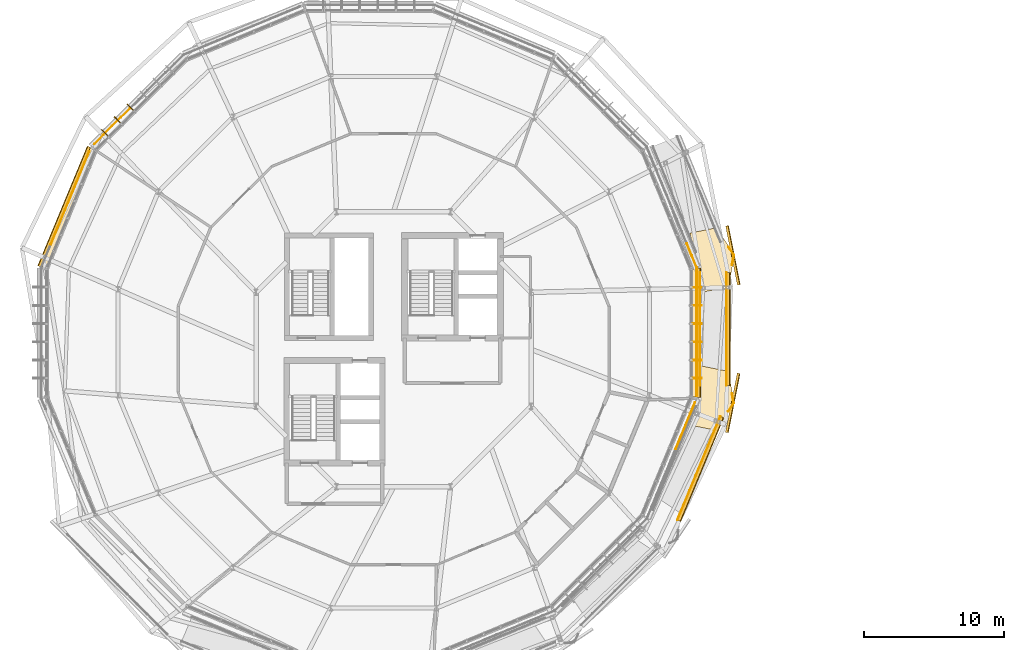
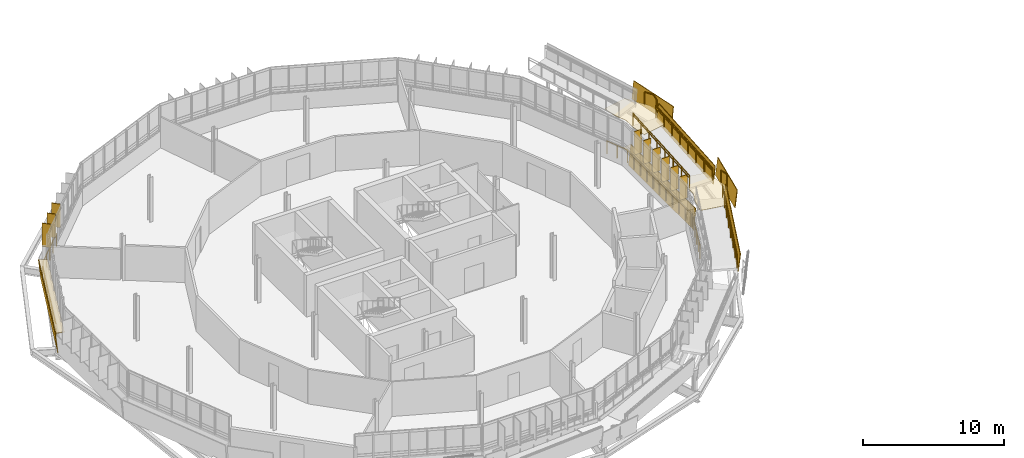
# One storey, part 35 of 38: 24 railings, 10 coverings, 9 shading devices.
"""IFC4 building model written with IfcOpenShell, lengths in metres."""

from ifc_helpers import new_model, si_unit, derived_unit, direction, frame, origin, origin_2d, place, context, subcontext, project, spatial, polyline, rectangle, circle, outline, extrude, material, layer, layer_set, type_object, element, save


model = new_model("IFC4")

# Units and contexts
model_context = context("Model", 3, precision=1e-05, world=origin(), true_north=direction((0.0, 1.0)))
body_context = subcontext(model_context, "Body", "Model", "MODEL_VIEW")
ifc_project = project(units=[si_unit("LENGTHUNIT", "METRE"), si_unit("AREAUNIT", "SQUARE_METRE"), si_unit("VOLUMEUNIT", "CUBIC_METRE"), si_unit("PLANEANGLEUNIT", "RADIAN"), si_unit("MASSUNIT", "GRAM", prefix="KILO"), derived_unit("THERMALTRANSMITTANCEUNIT", [(si_unit("MASSUNIT", "GRAM", prefix="KILO"), 1), (si_unit("TIMEUNIT", "SECOND"), -3), (si_unit("THERMODYNAMICTEMPERATUREUNIT", "KELVIN"), -1)])], contexts=[model_context])

# Site, building, storey
site_placement = place(None, origin())
site = spatial("IfcSite", under=ifc_project, at=site_placement, CompositionType="ELEMENT")
building_placement = place(site_placement, origin())
building = spatial("IfcBuilding", under=site, at=building_placement, Name="Makaiwela Harbour Ferry Terminal", CompositionType="ELEMENT")
storey_placement = place(building_placement, frame((0.0, 0.0, 17.699951171875)))
storey = spatial("IfcBuildingStorey", under=building, at=storey_placement, Name="L04", CompositionType="ELEMENT", Elevation=17.699951171875)

# Coverings
ifc_material_1 = material(Name="White glazed marine ceramic rainscreen tile", Category="masonry")
ifc_layer_1 = layer(ifc_material_1, 0.054931640625)
ifc_layer_set_1 = layer_set([ifc_layer_1], Name="White glazed marine ceramic rainscreen tile")
covering_type_1 = type_object("IfcCoveringType", Name="ENV-CLD-CERAMIC", PredefinedType="CLADDING", material=ifc_layer_set_1)
covering_1_placement = place(storey_placement, frame((16.205810546875, 81.982666015625, -0.219970703125), z_axis=(0.91837225581, -0.380377567243, 0.109111438894), x_axis=(-0.382662108655, -0.923888364792, -1.325847e-06)))
element("IfcCovering", 1, at=covering_1_placement, inside=storey, type_object=covering_type_1, Name="Ceramic Spandrel Facet CLD-0107", PredefinedType="CLADDING", context=body_context, shape_type="SweptSolid", body=[
    extrude(outline(polyline([(0.0, 0.0), (9.22583217068672, -5.551115123125783e-17), (9.225707352768074, -1.750453507512177), (-0.00021824128501520158, -1.7504288963566148), (0.0, 0.0)])), origin(), (0.0, 0.0, -1.0), 0.054931640625),
])
covering_2_placement = place(storey_placement, frame((0.0, 0.0, 1.47998046875)))
element("IfcCovering", 2, at=covering_2_placement, inside=storey, type_object=covering_type_1, Name="Ceramic Ring Sill Cap CLD-0108", PredefinedType="CLADDING", context=body_context, shape_type="SweptSolid", body=[
    extrude(outline(polyline([(16.029541015625, 82.055908203125), (12.4990234375, 73.5322265625), (13.111083984375, 73.36279296875), (16.58203125, 81.74267578125), (16.029541015625, 82.055908203125)])), origin(), (0.0, 0.0, 1.0), 0.05517578125),
])
covering_3_placement = place(storey_placement, frame((59.439697265625, 64.156982421875, -0.219970703125), z_axis=(-0.99403418163, 0.0, 0.109068995375), x_axis=(0.0, 1.0, 0.0)))
element("IfcCovering", 3, at=covering_3_placement, inside=storey, type_object=covering_type_1, Name="Ceramic Spandrel Facet CLD-0125", PredefinedType="CLADDING", context=body_context, shape_type="SweptSolid", body=[
    extrude(outline(polyline([(0.0, 0.0), (9.225830078125, 0.0), (9.225830078125, -1.7504329997209243), (0.0, -1.7504329997209243), (0.0, 0.0)])), origin(), (0.0, 0.0, -1.0), 0.054931640625),
])
covering_4_placement = place(storey_placement, frame((0.0, 0.0, 1.47998046875)))
element("IfcCovering", 4, at=covering_4_placement, inside=storey, type_object=covering_type_1, Name="Ceramic Ring Sill Cap CLD-0126", PredefinedType="CLADDING", context=body_context, shape_type="SweptSolid", body=[
    extrude(outline(polyline([(59.630615234375, 64.156982421875), (59.630615234375, 73.3828125), (59.00048828125, 73.30517578125), (59.00048828125, 64.23486328125), (59.630615234375, 64.156982421875)])), origin(), (0.0, 0.0, 1.0), 0.05517578125),
])
covering_5_placement = place(storey_placement, frame((58.0625, 55.413818359375, 1.888671875), z_axis=(-0.921177836667, 0.373257774502, 0.110045567867), x_axis=(0.381752918278, 0.921645849144, 0.069524370844)))
element("IfcCovering", 5, at=covering_5_placement, inside=storey, type_object=covering_type_1, Name="Coiled Ramp Ceramic Fascia CLD-R0069", PredefinedType="CLADDING", context=body_context, shape_type="SweptSolid", body=[
    extrude(outline(polyline([(0.0, 0.0), (8.01336114813343, 0.0), (8.119005883885844, -1.525660016367131), (0.10586974694605258, -1.5256341241488187), (0.0, 0.0)])), origin(), (0.0, 0.0, -1.0), 0.054931640625),
])
covering_6_placement = place(storey_placement, frame((61.4365234375, 61.69287109375, 2.44580078125), z_axis=(-0.974847879403, 0.193902996534, 0.109878296118), x_axis=(0.195084156401, 0.9807865068, -6.04816e-07)))
element("IfcCovering", 6, at=covering_6_placement, inside=storey, type_object=covering_type_1, Name="Coiled Ramp Ceramic Fascia CLD-R0070", PredefinedType="CLADDING", context=body_context, shape_type="SweptSolid", body=[
    extrude(outline(polyline([(0.0, 0.0), (4.300145524014604, -1.3877787807814457e-17), (4.29996775584264, -1.5292818589607693), (6.168165879731592e-05, -1.5292766258247583), (0.0, 0.0)])), origin(), (0.0, 0.0, -1.0), 0.054931640625),
])
covering_7_placement = place(storey_placement, frame((61.5625, 65.007080078125, 2.44580078125), z_axis=(-0.993921053264, -0.006349392549, 0.10991189696), x_axis=(0.00125403537, 0.997617910713, 0.06897051269)))
element("IfcCovering", 7, at=covering_7_placement, inside=storey, type_object=covering_type_1, Name="Coiled Ramp Ceramic Fascia CLD-R0071", PredefinedType="CLADDING", context=body_context, shape_type="SweptSolid", body=[
    extrude(outline(polyline([(0.0, 0.0), (8.077591919994989, 2.220446049250313e-16), (8.182395832218088, -1.5257034892167598), (0.10504716512235387, -1.5256598424697165), (0.0, 0.0)])), origin(), (0.0, 0.0, -1.0), 0.054931640625),
])
covering_8_placement = place(storey_placement, frame((62.2880859375, 72.1650390625, 3.0029296875), z_axis=(-0.974847879403, -0.193902996534, 0.109878296118), x_axis=(-0.195084287557, 0.980786480712, -6.0485e-07)))
element("IfcCovering", 8, at=covering_8_placement, inside=storey, type_object=covering_type_1, Name="Coiled Ramp Ceramic Fascia CLD-R0072", PredefinedType="CLADDING", context=body_context, shape_type="SweptSolid", body=[
    extrude(outline(polyline([(0.0, 0.0), (4.299906074187026, -1.3877787807814457e-17), (4.300081981169507, -1.5292818591759867), (-6.354284191229377e-05, -1.5292766257485568), (0.0, 0.0)])), origin(), (0.0, 0.0, -1.0), 0.054931640625),
])

# Shading devices
ifc_material_2 = material(Name="Marine anodised aluminium 6063-T6", Category="aluminium")
ifc_layer_2 = layer(ifc_material_2, 0.054931640625)
ifc_layer_set_2 = layer_set([ifc_layer_2], Name="Marine anodised aluminium 6063-T6")
shading_device_type = type_object("IfcShadingDeviceType", Name="ENV-FIN-650", PredefinedType="USERDEFINED", material=ifc_layer_set_2)
for number, where, z_axis, x_axis, name in (
    (9, (19.0537109375, 84.849853515625, 1.60400390625), (0.0, 0.0, 1.0), (-0.707106781187, 0.707106781187, 0.0), "Vertical Solar Fin SFN-0123"),
    (10, (18.1376953125, 83.93359375, 1.60400390625), (0.0, 0.0, 1.0), (-0.707106781187, 0.707106781187, 0.0), "Vertical Solar Fin SFN-0124"),
    (11, (17.22119140625, 83.017333984375, 1.60400390625), (0.0, 0.0, 1.0), (-0.707106781187, 0.707106781187, 0.0), "Vertical Solar Fin SFN-0125"),
    (12, (59.4384765625, 65.530517578125, 1.60400390625), (0.0, 0.0, 1.0), (1.0, 0.0, 0.0), "Vertical Solar Fin SFN-0144"),
    (13, (59.4384765625, 66.826416015625, 1.60400390625), (0.0, 0.0, 1.0), (1.0, 0.0, 0.0), "Vertical Solar Fin SFN-0145"),
    (14, (59.4384765625, 68.1220703125, 1.60400390625), (0.0, 0.0, 1.0), (1.0, 0.0, 0.0), "Vertical Solar Fin SFN-0146"),
    (15, (59.4384765625, 69.41796875, 1.60400390625), (0.0, 0.0, 1.0), (1.0, 0.0, 0.0), "Vertical Solar Fin SFN-0147"),
    (16, (59.4384765625, 70.713623046875, 1.60400390625), (0.0, 0.0, 1.0), (1.0, 0.0, 0.0), "Vertical Solar Fin SFN-0148"),
    (17, (59.4384765625, 72.009521484375, 1.60400390625), (0.0, 0.0, 1.0), (1.0, 0.0, 0.0), "Vertical Solar Fin SFN-0149"),
):
    element("IfcShadingDevice", number, at=place(storey_placement, frame(where, z_axis=z_axis, x_axis=x_axis)), inside=storey, type_object=shading_device_type, Name=name, ObjectType="SOLAR FIN", PredefinedType="USERDEFINED", context=body_context, shape_type="SweptSolid", body=[
        extrude(rectangle(XDim=0.64990234375, YDim=0.054931640625, at=origin_2d()), origin(), (0.0, 0.0, 1.0), 2.0400390625),
    ])

# Coverings
ifc_material_3 = material(Name="Honed coral-aggregate epoxy terrazzo flooring", Category="concrete")
ifc_layer_3 = layer(ifc_material_3, 0.02490234375)
ifc_layer_set_3 = layer_set([ifc_layer_3], Name="Honed coral-aggregate epoxy terrazzo flooring")
covering_type_2 = type_object("IfcCoveringType", Name="INT-COV-FLR", PredefinedType="FLOORING", material=ifc_layer_set_3)
covering_9_placement = place(storey_placement, frame((0.0, 0.0, 2.78564453125)))
element("IfcCovering", 18, at=covering_9_placement, inside=storey, type_object=covering_type_2, Name="Ramp Landing Terrazzo RMP-COIL-L04-L5", PredefinedType="FLOORING", context=body_context, shape_type="SweptSolid", body=[
    extrude(outline(polyline([(59.5068359375, 65.253173828125), (59.5068359375, 64.269287109375), (59.5068359375, 64.26904296875), (59.5068359375, 64.268798828125), (59.5068359375, 64.2685546875), (59.506591796875, 64.268310546875), (59.130126953125, 63.359375), (58.899169921875, 62.197509765625), (60.802001953125, 61.819091796875), (62.07470703125, 63.758056640625), (61.640625, 66.03662109375), (59.738037109375, 66.4150390625), (59.5068359375, 65.253173828125)])), origin(), (0.0, 0.0, 1.0), 0.025146484375),
])
covering_10_placement = place(storey_placement, frame((0.0, 0.0, 3.343017578125)))
element("IfcCovering", 19, at=covering_10_placement, inside=storey, type_object=covering_type_2, Name="Ramp Landing Terrazzo RMP-COIL-L04-L6", PredefinedType="FLOORING", context=body_context, shape_type="SweptSolid", body=[
    extrude(outline(polyline([(59.142822265625, 74.7158203125), (59.519287109375, 73.806884765625), (59.51953125, 73.806640625), (59.51953125, 73.806396484375), (59.51953125, 73.806396484375), (59.51953125, 73.80615234375), (59.51953125, 72.822021484375), (59.750732421875, 71.660400390625), (61.6533203125, 72.038818359375), (62.087158203125, 74.317138671875), (60.814453125, 76.256103515625), (58.911865234375, 75.877685546875), (59.142822265625, 74.7158203125)])), origin(), (0.0, 0.0, 1.0), 0.02490234375),
])

# Railings
ifc_material_4 = material(Name="Marine grade 316L brushed stainless steel", Category="steel")
railing_type_1 = type_object("IfcRailingType", Name="INT-RL-GRD110", PredefinedType="GUARDRAIL", material=ifc_material_4)
railing_1_placement = place(storey_placement, frame((58.010009765625, 55.435791015625, 2.228759765625)))
element("IfcRailing", 20, at=railing_1_placement, inside=storey, type_object=railing_type_1, Name="Ramp guardrail RL-0235", PredefinedType="GUARDRAIL", context=body_context, shape_type="SweptSolid", body=[
    extrude(circle(Radius=0.02392578125, at=origin_2d()), frame((0.0, 0.0, 1.09619140625), z_axis=(0.381759208581, 0.921645335959, 0.069496628473), x_axis=(-0.923879103416, 0.382684468291, 0.0)), (0.0, 0.0, 1.0), 8.01318359375),
    extrude(circle(Radius=0.02099609375, at=origin_2d()), origin(), (0.0, 0.0, 1.0), 1.072021484375),
    extrude(circle(Radius=0.02099609375, at=origin_2d()), frame((0.43701171875, 1.054931640625, 0.07958984375)), (0.0, 0.0, 1.0), 1.072021484375),
    extrude(circle(Radius=0.02099609375, at=origin_2d()), frame((0.8740234375, 2.110107421875, 0.1591796875)), (0.0, 0.0, 1.0), 1.072021484375),
    extrude(circle(Radius=0.02099609375, at=origin_2d()), frame((1.31103515625, 3.1650390625, 0.23876953125)), (0.0, 0.0, 1.0), 1.072021484375),
    extrude(circle(Radius=0.02099609375, at=origin_2d()), frame((1.748046875, 4.22021484375, 0.318115234375)), (0.0, 0.0, 1.0), 1.072021484375),
    extrude(circle(Radius=0.02099609375, at=origin_2d()), frame((2.18505859375, 5.275146484375, 0.397705078125)), (0.0, 0.0, 1.0), 1.072021484375),
    extrude(circle(Radius=0.02099609375, at=origin_2d()), frame((2.6220703125, 6.330322265625, 0.477294921875)), (0.0, 0.0, 1.0), 1.072021484375),
    extrude(circle(Radius=0.02099609375, at=origin_2d()), frame((3.05908203125, 7.38525390625, 0.556884765625)), (0.0, 0.0, 1.0), 1.072021484375),
])
railing_2_placement = place(storey_placement, frame((59.62548828125, 65.009765625, 2.78564453125)))
element("IfcRailing", 21, at=railing_2_placement, inside=storey, type_object=railing_type_1, Name="Ramp guardrail RL-0237", PredefinedType="GUARDRAIL", context=body_context, shape_type="SweptSolid", body=[
    extrude(circle(Radius=0.02392578125, at=origin_2d()), frame((0.0, 0.0, 1.09619140625), z_axis=(0.001239199114, 0.997615735713, 0.069002233606), x_axis=(-0.999999228519, 0.001242159795, 0.0)), (0.0, 0.0, 1.0), 8.07763671875),
    extrude(circle(Radius=0.02099609375, at=origin_2d()), origin(), (0.0, 0.0, 1.0), 1.072021484375),
    extrude(circle(Radius=0.02099609375, at=origin_2d()), frame((0.00146484375, 1.151123046875, 0.07958984375)), (0.0, 0.0, 1.0), 1.072021484375),
    extrude(circle(Radius=0.02099609375, at=origin_2d()), frame((0.0029296875, 2.302490234375, 0.1591796875)), (0.0, 0.0, 1.0), 1.072021484375),
    extrude(circle(Radius=0.02099609375, at=origin_2d()), frame((0.00439453125, 3.45361328125, 0.23876953125)), (0.0, 0.0, 1.0), 1.072021484375),
    extrude(circle(Radius=0.02099609375, at=origin_2d()), frame((0.005615234375, 4.604736328125, 0.318603515625)), (0.0, 0.0, 1.0), 1.072021484375),
    extrude(circle(Radius=0.02099609375, at=origin_2d()), frame((0.007080078125, 5.755859375, 0.398193359375)), (0.0, 0.0, 1.0), 1.072021484375),
    extrude(circle(Radius=0.02099609375, at=origin_2d()), frame((0.008544921875, 6.9072265625, 0.477783203125)), (0.0, 0.0, 1.0), 1.072021484375),
    extrude(circle(Radius=0.02099609375, at=origin_2d()), frame((0.010009765625, 8.058349609375, 0.557373046875)), (0.0, 0.0, 1.0), 1.072021484375),
])
railing_3_placement = place(storey_placement, frame((61.50537109375, 65.00732421875, 2.78564453125)))
element("IfcRailing", 22, at=railing_3_placement, inside=storey, type_object=railing_type_1, Name="Ramp guardrail RL-0239", PredefinedType="GUARDRAIL", context=body_context, shape_type="SweptSolid", body=[
    extrude(circle(Radius=0.02392578125, at=origin_2d()), frame((0.0, 0.0, 1.09619140625), z_axis=(0.001269423435, 0.997615697893, 0.06900223099), x_axis=(-0.999999190427, 0.001272456327, 0.0)), (0.0, 0.0, 1.0), 8.07763671875),
    extrude(circle(Radius=0.02099609375, at=origin_2d()), origin(), (0.0, 0.0, 1.0), 1.072021484375),
    extrude(circle(Radius=0.02099609375, at=origin_2d()), frame((0.00146484375, 1.151123046875, 0.07958984375)), (0.0, 0.0, 1.0), 1.072021484375),
    extrude(circle(Radius=0.02099609375, at=origin_2d()), frame((0.0029296875, 2.302490234375, 0.1591796875)), (0.0, 0.0, 1.0), 1.072021484375),
    extrude(circle(Radius=0.02099609375, at=origin_2d()), frame((0.00439453125, 3.45361328125, 0.23876953125)), (0.0, 0.0, 1.0), 1.072021484375),
    extrude(circle(Radius=0.02099609375, at=origin_2d()), frame((0.005859375, 4.604736328125, 0.318603515625)), (0.0, 0.0, 1.0), 1.072021484375),
    extrude(circle(Radius=0.02099609375, at=origin_2d()), frame((0.00732421875, 5.755859375, 0.398193359375)), (0.0, 0.0, 1.0), 1.072021484375),
    extrude(circle(Radius=0.02099609375, at=origin_2d()), frame((0.0087890625, 6.9072265625, 0.477783203125)), (0.0, 0.0, 1.0), 1.072021484375),
    extrude(circle(Radius=0.02099609375, at=origin_2d()), frame((0.01025390625, 8.058349609375, 0.557373046875)), (0.0, 0.0, 1.0), 1.072021484375),
])
railing_4_placement = place(storey_placement, frame((13.388916015625, 75.0693359375, 0.0)))
element("IfcRailing", 23, at=railing_4_placement, inside=storey, type_object=railing_type_1, Name="Deck edge guardrail RL-0763", PredefinedType="GUARDRAIL", context=body_context, shape_type="SweptSolid", body=[
    extrude(circle(Radius=0.02392578125, at=origin_2d()), frame((0.0, 0.0, 1.09619140625), z_axis=(0.382708764376, 0.923869039242, 0.0), x_axis=(-0.923869039242, 0.382708764376, 0.0)), (0.0, 0.0, 1.0), 1.7919921875),
    extrude(circle(Radius=0.02099609375, at=origin_2d()), origin(), (0.0, 0.0, 1.0), 1.072021484375),
    extrude(circle(Radius=0.02099609375, at=origin_2d()), frame((0.3427734375, 0.82763671875, 0.0)), (0.0, 0.0, 1.0), 1.072021484375),
    extrude(circle(Radius=0.02099609375, at=origin_2d()), frame((0.685791015625, 1.655517578125, 0.0)), (0.0, 0.0, 1.0), 1.072021484375),
])
railing_5_placement = place(storey_placement, frame((14.07470703125, 76.724853515625, 0.0)))
element("IfcRailing", 24, at=railing_5_placement, inside=storey, type_object=railing_type_1, Name="Deck edge guardrail RL-0764", PredefinedType="GUARDRAIL", context=body_context, shape_type="SweptSolid", body=[
    extrude(circle(Radius=0.02392578125, at=origin_2d()), frame((0.0, 0.0, 1.09619140625), z_axis=(0.382640634603, 0.923897258763, 0.0), x_axis=(-0.923897258763, 0.382640634603, 0.0)), (0.0, 0.0, 1.0), 1.79150390625),
    extrude(circle(Radius=0.02099609375, at=origin_2d()), origin(), (0.0, 0.0, 1.0), 1.072021484375),
    extrude(circle(Radius=0.02099609375, at=origin_2d()), frame((0.3427734375, 0.82763671875, 0.0)), (0.0, 0.0, 1.0), 1.072021484375),
    extrude(circle(Radius=0.02099609375, at=origin_2d()), frame((0.685546875, 1.6552734375, 0.0)), (0.0, 0.0, 1.0), 1.072021484375),
])
railing_6_placement = place(storey_placement, frame((14.76025390625, 78.380126953125, 0.0)))
element("IfcRailing", 25, at=railing_6_placement, inside=storey, type_object=railing_type_1, Name="Deck edge guardrail RL-0765", PredefinedType="GUARDRAIL", context=body_context, shape_type="SweptSolid", body=[
    extrude(circle(Radius=0.02392578125, at=origin_2d()), frame((0.0, 0.0, 1.09619140625), z_axis=(0.382708764376, 0.923869039242, 0.0), x_axis=(-0.923869039242, 0.382708764376, 0.0)), (0.0, 0.0, 1.0), 1.7919921875),
    extrude(circle(Radius=0.02099609375, at=origin_2d()), origin(), (0.0, 0.0, 1.0), 1.072021484375),
    extrude(circle(Radius=0.02099609375, at=origin_2d()), frame((0.3427734375, 0.82763671875, 0.0)), (0.0, 0.0, 1.0), 1.072021484375),
    extrude(circle(Radius=0.02099609375, at=origin_2d()), frame((0.685791015625, 1.655517578125, 0.0)), (0.0, 0.0, 1.0), 1.072021484375),
])
railing_7_placement = place(storey_placement, frame((15.446044921875, 80.03564453125, 0.0)))
element("IfcRailing", 26, at=railing_7_placement, inside=storey, type_object=railing_type_1, Name="Deck edge guardrail RL-0766", PredefinedType="GUARDRAIL", context=body_context, shape_type="SweptSolid", body=[
    extrude(circle(Radius=0.02392578125, at=origin_2d()), frame((0.0, 0.0, 1.09619140625), z_axis=(0.382592466586, 0.923917206524, 0.0), x_axis=(-0.923917206524, 0.382592466586, 0.0)), (0.0, 0.0, 1.0), 1.791748046875),
    extrude(circle(Radius=0.02099609375, at=origin_2d()), origin(), (0.0, 0.0, 1.0), 1.072021484375),
    extrude(circle(Radius=0.02099609375, at=origin_2d()), frame((0.3427734375, 0.82763671875, 0.0)), (0.0, 0.0, 1.0), 1.072021484375),
    extrude(circle(Radius=0.02099609375, at=origin_2d()), frame((0.685546875, 1.655517578125, 0.0)), (0.0, 0.0, 1.0), 1.072021484375),
])
for number, where, name in (
    (27, (16.489990234375, 82.227294921875, 0.0), "Deck edge guardrail RL-0767"),
    (28, (17.757080078125, 83.494384765625, 0.0), "Deck edge guardrail RL-0768"),
):
    element("IfcRailing", number, at=place(storey_placement, frame(where)), inside=storey, type_object=railing_type_1, Name=name, PredefinedType="GUARDRAIL", context=body_context, shape_type="SweptSolid", body=[
        extrude(circle(Radius=0.02392578125, at=origin_2d()), frame((0.0, 0.0, 1.09619140625), z_axis=(0.707106781187, 0.707106781187, 0.0), x_axis=(-0.707106781187, 0.707106781187, 0.0)), (0.0, 0.0, 1.0), 1.7919921875),
        extrude(circle(Radius=0.02099609375, at=origin_2d()), origin(), (0.0, 0.0, 1.0), 1.072021484375),
        extrude(circle(Radius=0.02099609375, at=origin_2d()), frame((0.633544921875, 0.633544921875, 0.0)), (0.0, 0.0, 1.0), 1.072021484375),
        extrude(circle(Radius=0.02099609375, at=origin_2d()), frame((1.26708984375, 1.26708984375, 0.0)), (0.0, 0.0, 1.0), 1.072021484375),
    ])
railing_8_placement = place(storey_placement, frame((58.685791015625, 75.130126953125, 0.0)))
element("IfcRailing", 29, at=railing_8_placement, inside=storey, type_object=railing_type_1, Name="Deck edge guardrail RL-0796", PredefinedType="GUARDRAIL", context=body_context, shape_type="SweptSolid", body=[
    extrude(circle(Radius=0.02392578125, at=origin_2d()), frame((0.0, 0.0, 1.09619140625), z_axis=(0.382692255499, -0.9238758778, 0.0), x_axis=(0.9238758778, 0.382692255499, 0.0)), (0.0, 0.0, 1.0), 1.857666015625),
    extrude(circle(Radius=0.02099609375, at=origin_2d()), origin(), (0.0, 0.0, 1.0), 1.072021484375),
    extrude(circle(Radius=0.02099609375, at=origin_2d()), frame((0.35546875, -0.858154296875, 0.0)), (0.0, 0.0, 1.0), 1.072021484375),
    extrude(circle(Radius=0.02099609375, at=origin_2d()), frame((0.7109375, -1.71630859375, 0.0)), (0.0, 0.0, 1.0), 1.072021484375),
])
for number, where, name in (
    (30, (59.396728515625, 73.413818359375, 0.0), "Deck edge guardrail RL-0797"),
    (31, (59.396728515625, 71.5888671875, 0.0), "Deck edge guardrail RL-0798"),
):
    element("IfcRailing", number, at=place(storey_placement, frame(where)), inside=storey, type_object=railing_type_1, Name=name, PredefinedType="GUARDRAIL", context=body_context, shape_type="SweptSolid", body=[
        extrude(circle(Radius=0.02392578125, at=origin_2d()), frame((0.0, 0.0, 1.09619140625), z_axis=(0.0, -1.0, 0.0), x_axis=(1.0, 0.0, 0.0)), (0.0, 0.0, 1.0), 1.824951171875),
        extrude(circle(Radius=0.02099609375, at=origin_2d()), origin(), (0.0, 0.0, 1.0), 1.072021484375),
        extrude(circle(Radius=0.02099609375, at=origin_2d()), frame((0.0, -0.91259765625, 0.0)), (0.0, 0.0, 1.0), 1.072021484375),
        extrude(circle(Radius=0.02099609375, at=origin_2d()), frame((0.0, -1.824951171875, 0.0)), (0.0, 0.0, 1.0), 1.072021484375),
    ])
for number, where, name in (
    (32, (59.396728515625, 69.763916015625, 0.0), "Deck edge guardrail RL-0799"),
    (33, (59.396728515625, 67.938720703125, 0.0), "Deck edge guardrail RL-0800"),
):
    element("IfcRailing", number, at=place(storey_placement, frame(where)), inside=storey, type_object=railing_type_1, Name=name, PredefinedType="GUARDRAIL", context=body_context, shape_type="SweptSolid", body=[
        extrude(circle(Radius=0.02392578125, at=origin_2d()), frame((0.0, 0.0, 1.09619140625), z_axis=(0.0, -1.0, 0.0), x_axis=(1.0, 0.0, 0.0)), (0.0, 0.0, 1.0), 1.8251953125),
        extrude(circle(Radius=0.02099609375, at=origin_2d()), origin(), (0.0, 0.0, 1.0), 1.072021484375),
        extrude(circle(Radius=0.02099609375, at=origin_2d()), frame((0.0, -0.91259765625, 0.0)), (0.0, 0.0, 1.0), 1.072021484375),
        extrude(circle(Radius=0.02099609375, at=origin_2d()), frame((0.0, -1.8251953125, 0.0)), (0.0, 0.0, 1.0), 1.072021484375),
    ])
railing_9_placement = place(storey_placement, frame((59.396728515625, 66.113525390625, 0.0)))
element("IfcRailing", 34, at=railing_9_placement, inside=storey, type_object=railing_type_1, Name="Deck edge guardrail RL-0801", PredefinedType="GUARDRAIL", context=body_context, shape_type="SweptSolid", body=[
    extrude(circle(Radius=0.02392578125, at=origin_2d()), frame((0.0, 0.0, 1.09619140625), z_axis=(0.0, -1.0, 0.0), x_axis=(1.0, 0.0, 0.0)), (0.0, 0.0, 1.0), 1.824951171875),
    extrude(circle(Radius=0.02099609375, at=origin_2d()), origin(), (0.0, 0.0, 1.0), 1.072021484375),
    extrude(circle(Radius=0.02099609375, at=origin_2d()), frame((0.0, -0.91259765625, 0.0)), (0.0, 0.0, 1.0), 1.072021484375),
    extrude(circle(Radius=0.02099609375, at=origin_2d()), frame((0.0, -1.824951171875, 0.0)), (0.0, 0.0, 1.0), 1.072021484375),
])
railing_10_placement = place(storey_placement, frame((59.265625, 63.809814453125, 0.0)))
element("IfcRailing", 35, at=railing_10_placement, inside=storey, type_object=railing_type_1, Name="Deck edge guardrail RL-0802", PredefinedType="GUARDRAIL", context=body_context, shape_type="SweptSolid", body=[
    extrude(circle(Radius=0.02392578125, at=origin_2d()), frame((0.0, 0.0, 1.09619140625), z_axis=(-0.382657128341, -0.923890427556, 0.0), x_axis=(0.923890427556, -0.382657128341, 0.0)), (0.0, 0.0, 1.0), 1.7890625),
    extrude(circle(Radius=0.02099609375, at=origin_2d()), origin(), (0.0, 0.0, 1.0), 1.072021484375),
    extrude(circle(Radius=0.02099609375, at=origin_2d()), frame((-0.34228515625, -0.826416015625, 0.0)), (0.0, 0.0, 1.0), 1.072021484375),
    extrude(circle(Radius=0.02099609375, at=origin_2d()), frame((-0.6845703125, -1.65283203125, 0.0)), (0.0, 0.0, 1.0), 1.072021484375),
])
railing_11_placement = place(storey_placement, frame((58.5810546875, 62.156982421875, 0.0)))
element("IfcRailing", 36, at=railing_11_placement, inside=storey, type_object=railing_type_1, Name="Deck edge guardrail RL-0803", PredefinedType="GUARDRAIL", context=body_context, shape_type="SweptSolid", body=[
    extrude(circle(Radius=0.02392578125, at=origin_2d()), frame((0.0, 0.0, 1.09619140625), z_axis=(-0.382608887817, -0.923910406351, 0.0), x_axis=(0.923910406351, -0.382608887817, 0.0)), (0.0, 0.0, 1.0), 1.789306640625),
    extrude(circle(Radius=0.02099609375, at=origin_2d()), origin(), (0.0, 0.0, 1.0), 1.072021484375),
    extrude(circle(Radius=0.02099609375, at=origin_2d()), frame((-0.34228515625, -0.82666015625, 0.0)), (0.0, 0.0, 1.0), 1.072021484375),
    extrude(circle(Radius=0.02099609375, at=origin_2d()), frame((-0.6845703125, -1.653076171875, 0.0)), (0.0, 0.0, 1.0), 1.072021484375),
])
railing_12_placement = place(storey_placement, frame((61.895751953125, 64.457275390625, 2.78564453125)))
element("IfcRailing", 37, at=railing_12_placement, inside=storey, type_object=railing_type_1, Name="Deck edge guardrail RL-0837", PredefinedType="GUARDRAIL", context=body_context, shape_type="SweptSolid", body=[
    extrude(circle(Radius=0.02392578125, at=origin_2d()), frame((0.0, 0.0, 1.09619140625), z_axis=(0.18708014987, -0.982344653126, 0.0), x_axis=(0.982344653126, 0.18708014987, 0.0)), (0.0, 0.0, 1.0), 0.7021484375),
    extrude(circle(Radius=0.02099609375, at=origin_2d()), origin(), (0.0, 0.0, 1.0), 1.072021484375),
    extrude(circle(Radius=0.02099609375, at=origin_2d()), frame((0.13134765625, -0.689697265625, 0.0)), (0.0, 0.0, 1.0), 1.072021484375),
])
railing_13_placement = place(storey_placement, frame((62.027099609375, 63.767578125, 2.78564453125)))
element("IfcRailing", 38, at=railing_13_placement, inside=storey, type_object=railing_type_1, Name="Deck edge guardrail RL-0838", PredefinedType="GUARDRAIL", context=body_context, shape_type="SweptSolid", body=[
    extrude(circle(Radius=0.02392578125, at=origin_2d()), frame((0.0, 0.0, 1.09619140625), z_axis=(-0.548928918166, -0.835869034479, 0.0), x_axis=(0.835869034479, -0.548928918166, 0.0)), (0.0, 0.0, 1.0), 0.70458984375),
    extrude(circle(Radius=0.02099609375, at=origin_2d()), origin(), (0.0, 0.0, 1.0), 1.072021484375),
    extrude(circle(Radius=0.02099609375, at=origin_2d()), frame((-0.38671875, -0.5888671875, 0.0)), (0.0, 0.0, 1.0), 1.072021484375),
])
railing_14_placement = place(storey_placement, frame((61.65625, 74.891845703125, 3.343017578125)))
element("IfcRailing", 39, at=railing_14_placement, inside=storey, type_object=railing_type_1, Name="Deck edge guardrail RL-0839", PredefinedType="GUARDRAIL", context=body_context, shape_type="SweptSolid", body=[
    extrude(circle(Radius=0.02392578125, at=origin_2d()), frame((0.0, 0.0, 1.09619140625), z_axis=(0.548557222474, -0.836113014892, 0.0), x_axis=(0.836113014892, 0.548557222474, 0.0)), (0.0, 0.0, 1.0), 0.69873046875),
    extrude(circle(Radius=0.02099609375, at=origin_2d()), origin(), (0.0, 0.0, 1.0), 1.072021484375),
    extrude(circle(Radius=0.02099609375, at=origin_2d()), frame((0.38330078125, -0.584228515625, 0.0)), (0.0, 0.0, 1.0), 1.072021484375),
])
railing_15_placement = place(storey_placement, frame((62.03955078125, 74.3076171875, 3.343017578125)))
element("IfcRailing", 40, at=railing_15_placement, inside=storey, type_object=railing_type_1, Name="Deck edge guardrail RL-0840", PredefinedType="GUARDRAIL", context=body_context, shape_type="SweptSolid", body=[
    extrude(circle(Radius=0.02392578125, at=origin_2d()), frame((0.0, 0.0, 1.09619140625), z_axis=(-0.187064440614, -0.982347644705, 0.0), x_axis=(0.982347644705, -0.187064440614, 0.0)), (0.0, 0.0, 1.0), 0.7060546875),
    extrude(circle(Radius=0.02099609375, at=origin_2d()), origin(), (0.0, 0.0, 1.0), 1.072021484375),
    extrude(circle(Radius=0.02099609375, at=origin_2d()), frame((-0.132080078125, -0.693603515625, 0.0)), (0.0, 0.0, 1.0), 1.072021484375),
])
railing_type_2 = type_object("IfcRailingType", Name="INT-RL-HND090", PredefinedType="HANDRAIL", material=ifc_material_4)
railing_16_placement = place(storey_placement, frame((58.010009765625, 55.435791015625, 2.228759765625)))
element("IfcRailing", 41, at=railing_16_placement, inside=storey, type_object=railing_type_2, Name="Ramp handrail RL-0236", PredefinedType="HANDRAIL", context=body_context, shape_type="SweptSolid", body=[
    extrude(circle(Radius=0.02392578125, at=origin_2d()), frame((0.0, 0.0, 0.89111328125), z_axis=(0.381759208581, 0.921645335959, 0.069496628473), x_axis=(-0.923879103416, 0.382684468291, 0.0)), (0.0, 0.0, 1.0), 8.01318359375),
    extrude(circle(Radius=0.02099609375, at=origin_2d()), origin(), (0.0, 0.0, 1.0), 0.866943359375),
    extrude(circle(Radius=0.02099609375, at=origin_2d()), frame((0.43701171875, 1.054931640625, 0.07958984375)), (0.0, 0.0, 1.0), 0.866943359375),
    extrude(circle(Radius=0.02099609375, at=origin_2d()), frame((0.8740234375, 2.110107421875, 0.1591796875)), (0.0, 0.0, 1.0), 0.866943359375),
    extrude(circle(Radius=0.02099609375, at=origin_2d()), frame((1.31103515625, 3.1650390625, 0.23876953125)), (0.0, 0.0, 1.0), 0.866943359375),
    extrude(circle(Radius=0.02099609375, at=origin_2d()), frame((1.748046875, 4.22021484375, 0.318115234375)), (0.0, 0.0, 1.0), 0.866943359375),
    extrude(circle(Radius=0.02099609375, at=origin_2d()), frame((2.18505859375, 5.275146484375, 0.397705078125)), (0.0, 0.0, 1.0), 0.866943359375),
    extrude(circle(Radius=0.02099609375, at=origin_2d()), frame((2.6220703125, 6.330322265625, 0.477294921875)), (0.0, 0.0, 1.0), 0.866943359375),
    extrude(circle(Radius=0.02099609375, at=origin_2d()), frame((3.05908203125, 7.38525390625, 0.556884765625)), (0.0, 0.0, 1.0), 0.866943359375),
])
railing_17_placement = place(storey_placement, frame((59.62548828125, 65.009765625, 2.78564453125)))
element("IfcRailing", 42, at=railing_17_placement, inside=storey, type_object=railing_type_2, Name="Ramp handrail RL-0238", PredefinedType="HANDRAIL", context=body_context, shape_type="SweptSolid", body=[
    extrude(circle(Radius=0.02392578125, at=origin_2d()), frame((0.0, 0.0, 0.89111328125), z_axis=(0.001239199114, 0.997615735713, 0.069002233606), x_axis=(-0.999999228519, 0.001242159795, 0.0)), (0.0, 0.0, 1.0), 8.07763671875),
    extrude(circle(Radius=0.02099609375, at=origin_2d()), origin(), (0.0, 0.0, 1.0), 0.866943359375),
    extrude(circle(Radius=0.02099609375, at=origin_2d()), frame((0.00146484375, 1.151123046875, 0.07958984375)), (0.0, 0.0, 1.0), 0.866943359375),
    extrude(circle(Radius=0.02099609375, at=origin_2d()), frame((0.0029296875, 2.302490234375, 0.1591796875)), (0.0, 0.0, 1.0), 0.866943359375),
    extrude(circle(Radius=0.02099609375, at=origin_2d()), frame((0.00439453125, 3.45361328125, 0.23876953125)), (0.0, 0.0, 1.0), 0.866943359375),
    extrude(circle(Radius=0.02099609375, at=origin_2d()), frame((0.005615234375, 4.604736328125, 0.318603515625)), (0.0, 0.0, 1.0), 0.866943359375),
    extrude(circle(Radius=0.02099609375, at=origin_2d()), frame((0.007080078125, 5.755859375, 0.398193359375)), (0.0, 0.0, 1.0), 0.866943359375),
    extrude(circle(Radius=0.02099609375, at=origin_2d()), frame((0.008544921875, 6.9072265625, 0.477783203125)), (0.0, 0.0, 1.0), 0.866943359375),
    extrude(circle(Radius=0.02099609375, at=origin_2d()), frame((0.010009765625, 8.058349609375, 0.557373046875)), (0.0, 0.0, 1.0), 0.866943359375),
])
railing_18_placement = place(storey_placement, frame((61.50537109375, 65.00732421875, 2.78564453125)))
element("IfcRailing", 43, at=railing_18_placement, inside=storey, type_object=railing_type_2, Name="Ramp handrail RL-0240", PredefinedType="HANDRAIL", context=body_context, shape_type="SweptSolid", body=[
    extrude(circle(Radius=0.02392578125, at=origin_2d()), frame((0.0, 0.0, 0.89111328125), z_axis=(0.001269423435, 0.997615697893, 0.06900223099), x_axis=(-0.999999190427, 0.001272456327, 0.0)), (0.0, 0.0, 1.0), 8.07763671875),
    extrude(circle(Radius=0.02099609375, at=origin_2d()), origin(), (0.0, 0.0, 1.0), 0.866943359375),
    extrude(circle(Radius=0.02099609375, at=origin_2d()), frame((0.00146484375, 1.151123046875, 0.07958984375)), (0.0, 0.0, 1.0), 0.866943359375),
    extrude(circle(Radius=0.02099609375, at=origin_2d()), frame((0.0029296875, 2.302490234375, 0.1591796875)), (0.0, 0.0, 1.0), 0.866943359375),
    extrude(circle(Radius=0.02099609375, at=origin_2d()), frame((0.00439453125, 3.45361328125, 0.23876953125)), (0.0, 0.0, 1.0), 0.866943359375),
    extrude(circle(Radius=0.02099609375, at=origin_2d()), frame((0.005859375, 4.604736328125, 0.318603515625)), (0.0, 0.0, 1.0), 0.866943359375),
    extrude(circle(Radius=0.02099609375, at=origin_2d()), frame((0.00732421875, 5.755859375, 0.398193359375)), (0.0, 0.0, 1.0), 0.866943359375),
    extrude(circle(Radius=0.02099609375, at=origin_2d()), frame((0.0087890625, 6.9072265625, 0.477783203125)), (0.0, 0.0, 1.0), 0.866943359375),
    extrude(circle(Radius=0.02099609375, at=origin_2d()), frame((0.01025390625, 8.058349609375, 0.557373046875)), (0.0, 0.0, 1.0), 0.866943359375),
])

save(model, "model.ifc")
